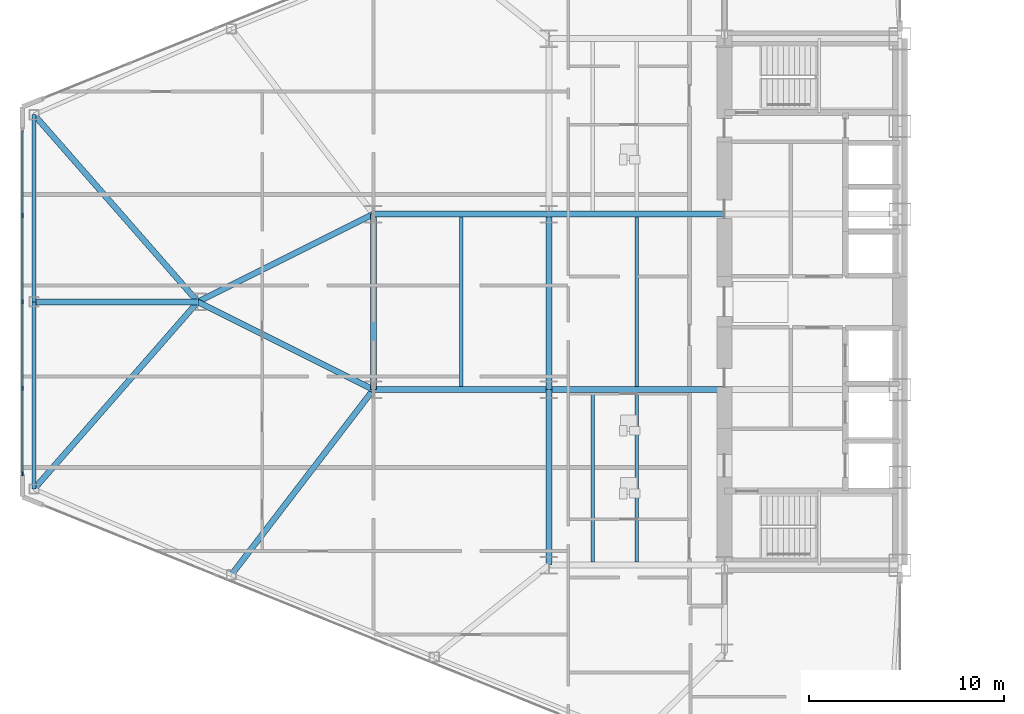
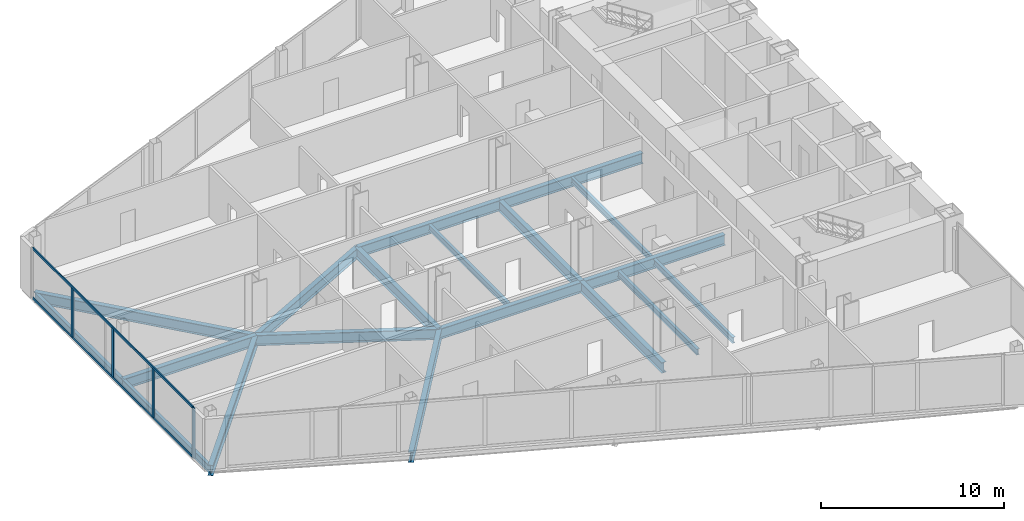
# One storey, part 4 of 25: 19 beams, 6 members, 1 element without a shape of its own.
"""IFC4 building model written with IfcOpenShell, lengths in metres."""

from ifc_helpers import new_model, si_unit, direction, frame, origin, origin_2d, place, context, subcontext, project, spatial, rectangle, i_section, extrude, source, transform, mapped, material, layer, layer_set, material_profile, profile_set, type_object, type_shapes, element, aggregate, save


model = new_model("IFC4")

# Units and contexts
model_context = context("Model", 3, precision=1e-05, world=origin(), true_north=direction((0.0, 1.0)))
body_context = subcontext(model_context, "Body", "Model", "MODEL_VIEW")
ifc_project = project(units=[si_unit("LENGTHUNIT", "METRE"), si_unit("AREAUNIT", "SQUARE_METRE"), si_unit("VOLUMEUNIT", "CUBIC_METRE"), si_unit("PLANEANGLEUNIT", "RADIAN"), si_unit("MASSUNIT", "GRAM", prefix="KILO")], contexts=[model_context])

# Site, building, storey
site_placement = place(None, origin())
site = spatial("IfcSite", under=ifc_project, at=site_placement, CompositionType="ELEMENT")
building_placement = place(site_placement, origin())
building = spatial("IfcBuilding", under=site, at=building_placement, Name="Seokmaru Belvedere", CompositionType="ELEMENT")
storey_placement = place(building_placement, frame((0.0, 0.0, 44.10009765625)))
storey = spatial("IfcBuildingStorey", under=building, at=storey_placement, Name="L11", CompositionType="ELEMENT", Elevation=44.10009765625)

# Beams
ifc_material_1 = material(Name="Steel SM355 (355 MPa)", Category="steel")
ifc_material_profile_1 = material_profile(ifc_material_1, i_section(OverallWidth=0.300048828125, OverallDepth=0.699951171875, WebThickness=0.012939453125, FlangeThickness=0.02392578125, at=origin_2d()), Name="H-700x300x13x24")
ifc_profile_set_1 = profile_set([ifc_material_profile_1], Name="Steel SM355 (355 MPa)")
beam_type_1 = type_object("IfcBeamType", Name="Primary Floor Girder H-700", PredefinedType="BEAM", material=ifc_profile_set_1)
shared_shape_1 = source(origin(), body_context, "Body", "SweptSolid", [
    extrude(i_section(OverallWidth=0.300048828125, OverallDepth=0.699951171875, WebThickness=0.012939453125, FlangeThickness=0.02392578125, at=origin_2d()), origin(), (0.0, 0.0, 1.0), 9.0),
])
for number, where, z_axis, x_axis, name in (
    (1, (-45.5, -13.5, -0.570068359375), (0.0, 1.0, 0.0), (-1.0, 0.0, 0.0), "L11 W Interior Grid Girder 1"),
    (2, (-45.5, -4.5, -0.570068359375), (0.0, 1.0, 0.0), (-1.0, 0.0, 0.0), "L11 W Interior Grid Girder 2"),
    (3, (-45.5, -4.5, -0.570068359375), (1.0, 0.0, 0.0), (0.0, 1.0, 0.0), "L11 W Wing Primary Girder 2"),
    (4, (-45.5, 4.5, -0.570068359375), (1.0, 0.0, 0.0), (0.0, 1.0, 0.0), "L11 W Wing Primary Girder 3"),
    (5, (-54.5, -4.5, -0.570068359375), (1.0, 0.0, 0.0), (0.0, 1.0, 0.0), "L11 W Outer Wing Girder 1"),
    (6, (-54.5, 4.5, -0.570068359375), (1.0, 0.0, 0.0), (0.0, 1.0, 0.0), "L11 W Outer Wing Girder 2"),
    (7, (-54.5, -4.5, -0.570068359375), (0.0, 1.0, 0.0), (-1.0, 0.0, 0.0), "L11 W Apex Frame Girder"),
):
    element("IfcBeam", number, at=place(storey_placement, frame(where, z_axis=z_axis, x_axis=x_axis)), inside=storey, type_object=beam_type_1, Name=name, PredefinedType="BEAM", context=body_context, shape_type="MappedRepresentation", body=[
        mapped(shared_shape_1, transform((0.0, 0.0, 0.0), scale=1.0)),
    ])
shared_shape_2 = source(origin(), body_context, "Body", "SweptSolid", [
    extrude(i_section(OverallWidth=0.300048828125, OverallDepth=0.699951171875, WebThickness=0.012939453125, FlangeThickness=0.02392578125, at=origin_2d()), origin(), (0.0, 0.0, 1.0), 10.062255859375),
])
for number, where, z_axis, x_axis, name in (
    (8, (-54.5, -4.5, -0.570068359375), (-0.894427191, 0.4472135955, 0.0), (-0.4472135955, -0.894427191, 0.0), "L11 W Apex Converging Girder 1"),
    (9, (-54.5, 4.5, -0.570068359375), (-0.894427191, -0.4472135955, 0.0), (0.4472135955, -0.894427191, 0.0), "L11 W Apex Converging Girder 2"),
):
    element("IfcBeam", number, at=place(storey_placement, frame(where, z_axis=z_axis, x_axis=x_axis)), inside=storey, type_object=beam_type_1, Name=name, PredefinedType="BEAM", context=body_context, shape_type="MappedRepresentation", body=[
        mapped(shared_shape_2, transform((0.0, 0.0, 0.0), scale=1.0)),
    ])
ifc_material_profile_2 = material_profile(ifc_material_1, i_section(OverallWidth=0.18505859375, OverallDepth=0.389892578125, WebThickness=0.008056640625, FlangeThickness=0.011962890625, at=origin_2d()), Name="H-390x185x8x12")
ifc_profile_set_2 = profile_set([ifc_material_profile_2], Name="Steel SM355 (355 MPa)")
beam_type_2 = type_object("IfcBeamType", Name="Secondary Floor Joist H-350", PredefinedType="JOIST", material=ifc_profile_set_2)
shared_shape_3 = source(origin(), body_context, "Body", "SweptSolid", [
    extrude(i_section(OverallWidth=0.18505859375, OverallDepth=0.389892578125, WebThickness=0.008056640625, FlangeThickness=0.011962890625, at=origin_2d()), origin(), (0.0, 0.0, 1.0), 8.68994140625),
])
type_shapes(beam_type_2, [shared_shape_3])
for number, where, z_axis, x_axis, name in (
    (10, (-43.25, -13.344970703125, -0.4150390625), (0.0, 1.0, 0.0), (-1.0, 0.0, 0.0), "L11 W Wing Inner Secondary Joist 1"),
    (11, (-41.0, -13.344970703125, -0.4150390625), (0.0, 1.0, 0.0), (-1.0, 0.0, 0.0), "L11 W Secondary Floor Joist 1"),
    (12, (-41.0, -4.344970703125, -0.4150390625), (0.0, 1.0, 0.0), (-1.0, 0.0, 0.0), "L11 W Secondary Floor Joist 2"),
    (13, (-50.0, -4.344970703125, -0.4150390625), (0.0, 1.0, 0.0), (-1.0, 0.0, 0.0), "L11 W Outer Bay Secondary Joist"),
):
    element("IfcBeam", number, at=place(storey_placement, frame(where, z_axis=z_axis, x_axis=x_axis)), inside=storey, type_object=beam_type_2, Name=name, PredefinedType="JOIST", context=body_context, shape_type="MappedRepresentation", body=[
        mapped(shared_shape_3, transform((0.0, 0.0, 0.0), scale=1.0)),
    ])
shared_shape_4 = source(origin(), body_context, "Body", "SweptSolid", [
    extrude(i_section(OverallWidth=0.300048828125, OverallDepth=0.699951171875, WebThickness=0.012939453125, FlangeThickness=0.02392578125, at=origin_2d()), origin(), (0.0, 0.0, 1.0), 12.7529296875),
])
for number, where, z_axis, x_axis, name in (
    (14, (-71.89990234375, -9.595703125, -0.570068359375), (0.658667231479, 0.752434368019, 0.0), (-0.752434368019, 0.658667231479, 0.0), "L11 W Apex Radial Floor Girder 1"),
    (15, (-71.89990234375, 9.595703125, -0.570068359375), (0.658667231479, -0.752434368019, 0.0), (0.752434368019, 0.658667231479, 0.0), "L11 W Apex Radial Floor Girder 2"),
):
    element("IfcBeam", number, at=place(storey_placement, frame(where, z_axis=z_axis, x_axis=x_axis)), inside=storey, type_object=beam_type_1, Name=name, PredefinedType="BEAM", context=body_context, shape_type="MappedRepresentation", body=[
        mapped(shared_shape_4, transform((0.0, 0.0, 0.0), scale=1.0)),
    ])
ifc_material_profile_3 = material_profile(ifc_material_1, i_section(OverallWidth=0.199951171875, OverallDepth=0.5, WebThickness=0.010009765625, FlangeThickness=0.01611328125, at=origin_2d()), Name="H-500x200x10x16")
ifc_profile_set_3 = profile_set([ifc_material_profile_3], Name="Steel SM355 (355 MPa)")
beam_type_3 = type_object("IfcBeamType", Name="Perimeter Spandrel Beam H-500", PredefinedType="SPANDREL", material=ifc_profile_set_3)
shared_shape_5 = source(origin(), body_context, "Body", "SweptSolid", [
    extrude(i_section(OverallWidth=0.199951171875, OverallDepth=0.5, WebThickness=0.010009765625, FlangeThickness=0.01611328125, at=origin_2d()), origin(), (0.0, 0.0, 1.0), 9.595703125),
])
type_shapes(beam_type_3, [shared_shape_5])
for number, where, z_axis, x_axis, name in (
    (16, (-71.89990234375, -9.595703125, -0.47021484375), (0.0, 1.0, 0.0), (-1.0, 0.0, 0.0), "L11 W Faceted Apex Spandrel S"),
    (17, (-71.89990234375, 0.0, -0.47021484375), (0.0, 1.0, 0.0), (-1.0, 0.0, 0.0), "L11 W Faceted Apex Spandrel N"),
):
    element("IfcBeam", number, at=place(storey_placement, frame(where, z_axis=z_axis, x_axis=x_axis)), inside=storey, type_object=beam_type_3, Name=name, PredefinedType="SPANDREL", context=body_context, shape_type="MappedRepresentation", body=[
        mapped(shared_shape_5, transform((0.0, 0.0, 0.0), scale=1.0)),
    ])
shared_shape_6 = source(origin(), body_context, "Body", "SweptSolid", [
    extrude(i_section(OverallWidth=0.300048828125, OverallDepth=0.699951171875, WebThickness=0.012939453125, FlangeThickness=0.02392578125, at=origin_2d()), origin(), (0.0, 0.0, 1.0), 11.96337890625),
])
beam_1_placement = place(storey_placement, frame((-61.779052734375, -13.994140625, -0.570068359375), z_axis=(0.608442682624, 0.793597821294, 0.0), x_axis=(-0.793597821294, 0.608442682624, 0.0)))
element("IfcBeam", 18, at=beam_1_placement, inside=storey, type_object=beam_type_1, Name="L11 W Flank Radial Floor Girder S-3", PredefinedType="BEAM", context=body_context, shape_type="MappedRepresentation", body=[
    mapped(shared_shape_6, transform((0.0, 0.0, 0.0), scale=1.0)),
])
shared_shape_7 = source(origin(), body_context, "Body", "SweptSolid", [
    extrude(i_section(OverallWidth=0.300048828125, OverallDepth=0.699951171875, WebThickness=0.012939453125, FlangeThickness=0.02392578125, at=origin_2d()), origin(), (0.0, 0.0, 1.0), 8.39990234375),
])
type_shapes(beam_type_1, [shared_shape_1, shared_shape_2, shared_shape_4, shared_shape_6, shared_shape_7])
beam_2_placement = place(storey_placement, frame((-71.89990234375, 0.0, -0.570068359375), z_axis=(1.0, 0.0, 0.0), x_axis=(0.0, 1.0, 0.0)))
element("IfcBeam", 19, at=beam_2_placement, inside=storey, type_object=beam_type_1, Name="L11 W Apex Center Radial Girder", PredefinedType="BEAM", context=body_context, shape_type="MappedRepresentation", body=[
    mapped(shared_shape_7, transform((0.0, 0.0, 0.0), scale=1.0)),
])

# Curtain wall, members
ifc_material_2 = material(Name="Bronze Triple Insulating Glass", Category="glass")
ifc_layer = layer(ifc_material_2, 0.2099609375)
ifc_layer_set = layer_set([ifc_layer], Name="Bronze Triple Insulating Glass")
curtain_wall_type = type_object("IfcCurtainWallType", Name="Low-Rise Faceted Crystal Curtain Wall System CW-2", PredefinedType="NOTDEFINED", material=ifc_layer_set)
curtain_wall_placement = place(storey_placement, origin())
curtain_wall = element("IfcCurtainWall", 20, at=curtain_wall_placement, inside=storey, type_object=curtain_wall_type, Name="L11 Curtain Wall WF4", PredefinedType="NOTDEFINED")
ifc_material_3 = material(Name="Anodised Bronze Aluminium", Category="aluminium")
ifc_material_profile_4 = material_profile(ifc_material_3, rectangle(XDim=0.074951171875, YDim=0.2099609375, at=origin_2d()), Name="CW-M-75x210")
ifc_profile_set_4 = profile_set([ifc_material_profile_4], Name="Anodised Bronze Aluminium")
member_type_1 = type_object("IfcMemberType", Name="Bronze Unitised Mullion 75x210", PredefinedType="MULLION", material=ifc_profile_set_4)
shared_shape_8 = source(origin(), body_context, "Body", "SweptSolid", [
    extrude(rectangle(XDim=0.074951171875, YDim=0.2099609375, at=origin_2d()), origin(), (0.0, 0.0, 1.0), 3.239990234375),
])
member_1_placement = place(storey_placement, frame((-72.5, 4.425048828125, 0.06982421875), z_axis=(0.0, 0.0, 1.0), x_axis=(1.0, 0.0, 0.0)))
member_1 = element("IfcMember", 21, at=member_1_placement, type_object=member_type_1, Name="CW:L11:WF4 Mullion 2", PredefinedType="MULLION", context=body_context, shape_type="MappedRepresentation", body=[
    mapped(shared_shape_8, transform((0.0, 0.0, 0.0), scale=1.0)),
])
member_2_placement = place(storey_placement, frame((-72.5, 0.0, 0.06982421875), z_axis=(0.0, 0.0, 1.0), x_axis=(1.0, 0.0, 0.0)))
member_2 = element("IfcMember", 22, at=member_2_placement, type_object=member_type_1, Name="CW:L11:WF4 Mullion 3", PredefinedType="MULLION", context=body_context, shape_type="MappedRepresentation", body=[
    mapped(shared_shape_8, transform((0.0, 0.0, 0.0), scale=1.0)),
])
member_3_placement = place(storey_placement, frame((-72.5, -4.425048828125, 0.06982421875), z_axis=(0.0, 0.0, 1.0), x_axis=(1.0, 0.0, 0.0)))
member_3 = element("IfcMember", 23, at=member_3_placement, type_object=member_type_1, Name="CW:L11:WF4 Mullion 4", PredefinedType="MULLION", context=body_context, shape_type="MappedRepresentation", body=[
    mapped(shared_shape_8, transform((0.0, 0.0, 0.0), scale=1.0)),
])
ifc_material_profile_5 = material_profile(ifc_material_3, rectangle(XDim=0.070068359375, YDim=0.1650390625, at=origin_2d()), Name="CW-T-70x165")
ifc_profile_set_5 = profile_set([ifc_material_profile_5], Name="Anodised Bronze Aluminium")
member_type_2 = type_object("IfcMemberType", Name="Bronze Unitised Transom 70x165", PredefinedType="USERDEFINED", material=ifc_profile_set_5)
shared_shape_9 = source(origin(), body_context, "Body", "SweptSolid", [
    extrude(rectangle(XDim=0.070068359375, YDim=0.1650390625, at=origin_2d()), origin(), (0.0, 0.0, 1.0), 17.5498046875),
])
type_shapes(member_type_2, [shared_shape_9])
member_4_placement = place(storey_placement, frame((-72.5, 8.77490234375, 0.034912109375), z_axis=(0.0, -1.0, 0.0), x_axis=(1.0, 0.0, 0.0)))
member_4 = element("IfcMember", 24, at=member_4_placement, type_object=member_type_2, Name="CW:L11:WF4 Continuous Transom 1", ObjectType="TRANSOM", PredefinedType="USERDEFINED", context=body_context, shape_type="MappedRepresentation", body=[
    mapped(shared_shape_9, transform((0.0, 0.0, 0.0), scale=1.0)),
])
member_5_placement = place(storey_placement, frame((-72.5, 8.77490234375, 3.344970703125), z_axis=(0.0, -1.0, 0.0), x_axis=(1.0, 0.0, 0.0)))
member_5 = element("IfcMember", 25, at=member_5_placement, type_object=member_type_2, Name="CW:L11:WF4 Continuous Transom 2", ObjectType="TRANSOM", PredefinedType="USERDEFINED", context=body_context, shape_type="MappedRepresentation", body=[
    mapped(shared_shape_9, transform((0.0, 0.0, 0.0), scale=1.0)),
])
shared_shape_10 = source(origin(), body_context, "Body", "SweptSolid", [
    extrude(rectangle(XDim=0.074951171875, YDim=0.2099609375, at=origin_2d()), origin(), (0.0, 0.0, 1.0), 3.3798828125),
])
type_shapes(member_type_1, [shared_shape_8, shared_shape_10])
member_6_placement = place(storey_placement, frame((-72.5, -8.8125, 0.0), z_axis=(0.0, 0.0, 1.0), x_axis=(1.0, 0.0, 0.0)))
member_6 = element("IfcMember", 26, at=member_6_placement, type_object=member_type_1, Name="CW:L11:WF4 Mullion 5", PredefinedType="MULLION", context=body_context, shape_type="MappedRepresentation", body=[
    mapped(shared_shape_10, transform((0.0, 0.0, 0.0), scale=1.0)),
])
aggregate(curtain_wall, [member_1, member_2, member_3, member_6, member_4, member_5])

save(model, "model.ifc")
